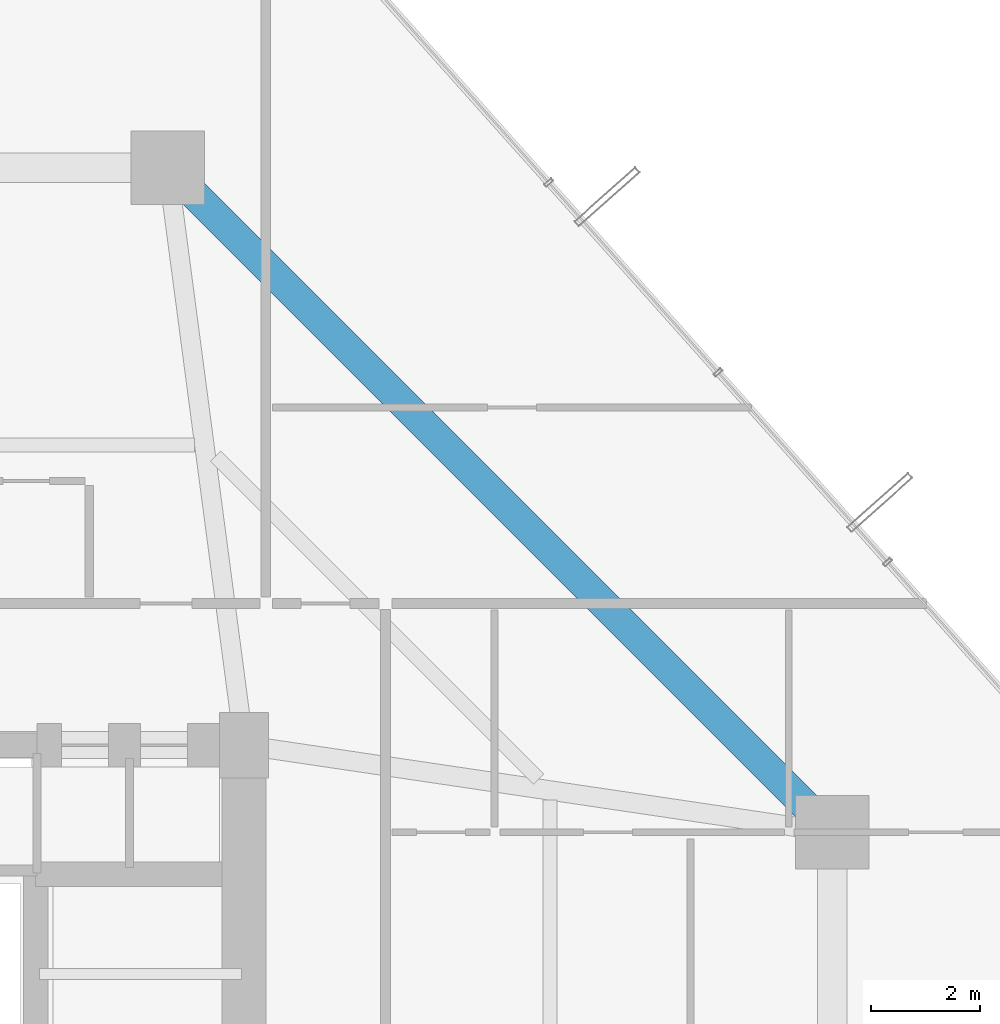
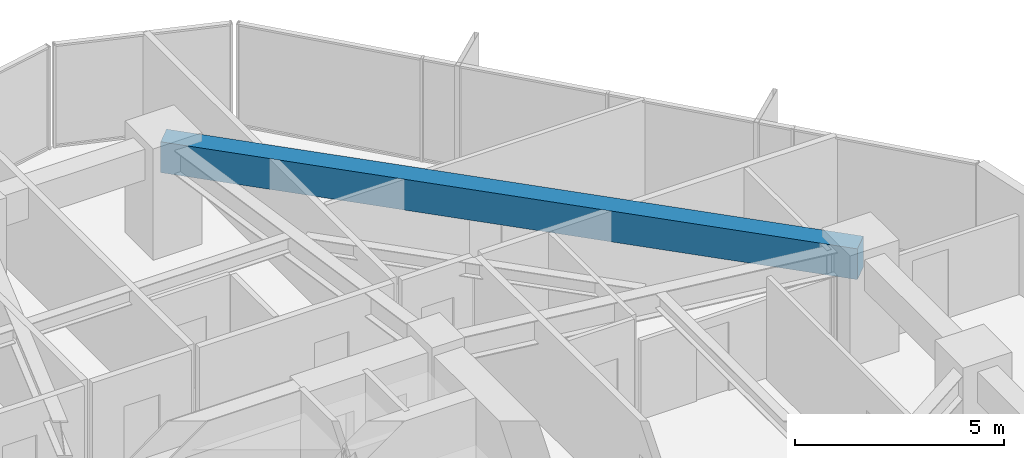
# One storey, part 28 of 38: 1 beam.
"""IFC4 building model written with IfcOpenShell, lengths in metres."""

import ifcopenshell
import ifcopenshell.guid

model = None  # the IFC model being written
_history = None  # IfcOwnerHistory: only IFC2X3 demands one
_inside = {}  # id of a spatial element -> (the spatial element, [elements in it])
_under = {}  # id of a project, library or spatial element -> (it, [spatial elements below it])
_declared = {}  # id of a project -> (the project, [libraries it declares])
_typed = {}  # id of a type object -> (the type object, [elements of that type])
_made_of = {}  # id of a material, layer set ... -> (it, [elements and type objects made of it])


def new_model(schema):
    """Start an empty IFC model of exactly this schema.

    Asked for "IFC4X3", IfcOpenShell would pick the latest addendum, in which some entities
    have other attributes; the version numbers below select the first issue.
    IFC2X3 requires an IfcOwnerHistory on every rooted entity: one is made here for all.
    """
    global model, _history
    if schema == "IFC4X3":
        model = ifcopenshell.file(schema_version=(4, 3, 0, 0))
    else:
        model = ifcopenshell.file(schema=schema)
    _inside.clear()
    _under.clear()
    _declared.clear()
    _typed.clear()
    _made_of.clear()
    _history = None
    if model.schema == "IFC2X3":
        org = make("IfcOrganization", Name="unknown")
        user = make(
            "IfcPersonAndOrganization",
            ThePerson=make("IfcPerson", FamilyName="unknown"),
            TheOrganization=org,
        )
        app = make(
            "IfcApplication",
            ApplicationDeveloper=org,
            Version="unknown",
            ApplicationFullName="unknown",
            ApplicationIdentifier="unknown",
        )
        _history = make(
            "IfcOwnerHistory",
            OwningUser=user,
            OwningApplication=app,
            ChangeAction="ADDED",
            CreationDate=0,
        )
    return model


def make(cls, **values):
    """One entity of the class cls with the attributes given. An attribute that is None is left unset."""
    return model.create_entity(
        cls, **{name: value for name, value in values.items() if value is not None}
    )


def rooted(cls, **values):
    """An entity with a GlobalId (a new one), such as an element, a storey or a relation."""
    return make(cls, GlobalId=ifcopenshell.guid.new(), OwnerHistory=_history, **values)


def si_unit(unit_type, name, prefix=None):
    """IfcSIUnit, for example si_unit("LENGTHUNIT", "METRE", prefix="MILLI")."""
    return make("IfcSIUnit", UnitType=unit_type, Prefix=prefix, Name=name)


def assignment(units):
    """IfcUnitAssignment: the units of a project."""
    return None if units is None else make("IfcUnitAssignment", Units=units)


def point(xyz):
    """IfcCartesianPoint."""
    return None if xyz is None else make("IfcCartesianPoint", Coordinates=xyz)


def direction(xyz):
    """IfcDirection."""
    return None if xyz is None else make("IfcDirection", DirectionRatios=xyz)


def frame(location, z_axis=None, x_axis=None):
    """IfcAxis2Placement3D, a coordinate frame: its origin and axes. An axis left out is left unset."""
    return make(
        "IfcAxis2Placement3D",
        Location=point(location),
        Axis=direction(z_axis),
        RefDirection=direction(x_axis),
    )


def frame_2d(location, x_axis=None):
    """IfcAxis2Placement2D, a coordinate frame in the plane: its origin and x axis."""
    return make(
        "IfcAxis2Placement2D", Location=point(location), RefDirection=direction(x_axis)
    )


def origin():
    """The frame at (0, 0, 0) with its axes left unset."""
    return frame((0.0, 0.0, 0.0))


def origin_2d():
    """The frame at (0, 0) in the plane with its x axis left unset."""
    return frame_2d((0.0, 0.0))


def place(relative_to, where):
    """IfcLocalPlacement: puts the frame where relative to a parent placement (None: the world)."""
    return make(
        "IfcLocalPlacement", PlacementRelTo=relative_to, RelativePlacement=where
    )


def context(
    kind, dimensions, precision=None, world=None, true_north=None, identifier=None
):
    """IfcGeometricRepresentationContext, for example the 3D "Model" context."""
    return make(
        "IfcGeometricRepresentationContext",
        ContextIdentifier=identifier,
        ContextType=kind,
        CoordinateSpaceDimension=dimensions,
        Precision=precision,
        WorldCoordinateSystem=world,
        TrueNorth=true_north,
    )


def subcontext(parent, identifier, kind, view, scale=None):
    """IfcGeometricRepresentationSubContext, for example "Body" below "Model"."""
    return make(
        "IfcGeometricRepresentationSubContext",
        ContextIdentifier=identifier,
        ContextType=kind,
        ParentContext=parent,
        TargetScale=scale,
        TargetView=view,
    )


def project(units=None, contexts=None):
    """IfcProject with its units and contexts."""
    return rooted(
        "IfcProject",
        Name="project",
        RepresentationContexts=contexts,
        UnitsInContext=assignment(units),
    )


def spatial(cls, under=None, at=None, **own):
    """A site, building, storey or space (cls), placed at a placement, below another one or the project."""
    s = rooted(cls, ObjectPlacement=at, **own)
    if under is not None:
        _under.setdefault(under.id(), (under, []))[1].append(s)
    return s


def profile(cls, at=None, kind="AREA", **sizes):
    """A parametric profile (cls). Its sizes go by their IFC names, for example OverallWidth=200.0."""
    return make(cls, ProfileType=kind, Position=at, **sizes)


def rectangle(**sizes):
    """IfcRectangleProfileDef."""
    return profile("IfcRectangleProfileDef", **sizes)


def extrude(swept, where, along, depth):
    """IfcExtrudedAreaSolid: the profile swept, set in the frame where, extruded along a direction by depth."""
    return make(
        "IfcExtrudedAreaSolid",
        SweptArea=swept,
        Position=where,
        ExtrudedDirection=direction(along),
        Depth=depth,
    )


def shape(context_of_items, identifier, shape_type, items):
    """IfcShapeRepresentation: the items that make up one representation, for example the "Body"."""
    return make(
        "IfcShapeRepresentation",
        ContextOfItems=context_of_items,
        RepresentationIdentifier=identifier,
        RepresentationType=shape_type,
        Items=items,
    )


def material(Name=None, Category=None):
    """IfcMaterial."""
    return make("IfcMaterial", Name=Name, Category=Category)


def material_profile(
    of_material, cross_section, Name=None, Category=None, Priority=None
):
    """IfcMaterialProfile: a cross section and its material."""
    return make(
        "IfcMaterialProfile",
        Name=Name,
        Material=of_material,
        Profile=cross_section,
        Priority=Priority,
        Category=Category,
    )


def profile_set(profiles, Name=None, composite=None):
    """IfcMaterialProfileSet."""
    return make(
        "IfcMaterialProfileSet",
        Name=Name,
        MaterialProfiles=profiles,
        CompositeProfile=composite,
    )


def made_of(thing, what):
    """Note that an element or type object is made of a material, layer set ...; save() writes the relation."""
    if what is not None:
        _made_of.setdefault(what.id(), (what, []))[1].append(thing)
    return thing


def type_object(cls, material=None, **own):
    """A type object (cls), such as IfcWallType, which elements share."""
    return made_of(rooted(cls, **own), material)


def element(
    cls,
    number,
    at=None,
    inside=None,
    cuts=None,
    type_object=None,
    material=None,
    context=None,
    identifier="Body",
    shape_type=None,
    held_by="IfcProductDefinitionShape",
    body=None,
    shapes=None,
    **own,
):
    """One element of the class cls, such as IfcWall. Its Tag is "e" and its number.

    at: its placement. inside: the storey or other place that contains it. cuts: it is an
    opening in that element (IfcRelVoidsElement). A single representation is given by context,
    identifier, shape_type and body (its items); several are given by shapes. held_by: the class
    of the entity that holds the representations. save() writes the other relations.
    """
    e = rooted(cls, Tag="e%d" % number, ObjectPlacement=at, **own)
    if body is not None:
        shapes = [shape(context, identifier, shape_type, body)]
    if shapes is not None:
        e.Representation = make(held_by, Representations=shapes)
    if inside is not None:
        _inside.setdefault(inside.id(), (inside, []))[1].append(e)
    if cuts is not None:
        rooted(
            "IfcRelVoidsElement", RelatingBuildingElement=cuts, RelatedOpeningElement=e
        )
    if type_object is not None:
        _typed.setdefault(type_object.id(), (type_object, []))[1].append(e)
    return made_of(e, material)


def aggregate(whole, parts):
    """IfcRelAggregates: a whole, such as a stair, and the parts it consists of."""
    return rooted("IfcRelAggregates", RelatingObject=whole, RelatedObjects=parts)


def save(model, path):
    """Write the relations noted so far, then the file.

    IfcRelAggregates (storeys below a building ...), IfcRelContainedInSpatialStructure (elements
    in a storey), IfcRelDefinesByType, IfcRelAssociatesMaterial and IfcRelDeclares: one each for
    every whole, place, type object, material and project.
    """
    for whole, parts in _under.values():
        aggregate(whole, parts)
    for where, things in _inside.values():
        rooted(
            "IfcRelContainedInSpatialStructure",
            RelatedElements=things,
            RelatingStructure=where,
        )
    for kind, things in _typed.values():
        rooted("IfcRelDefinesByType", RelatedObjects=things, RelatingType=kind)
    for what, things in _made_of.values():
        rooted("IfcRelAssociatesMaterial", RelatedObjects=things, RelatingMaterial=what)
    for by, libraries in _declared.values():
        rooted("IfcRelDeclares", RelatingContext=by, RelatedDefinitions=libraries)
    model.write(path)


model = new_model("IFC4")

# Units and contexts
model_context = context("Model", 3, precision=1e-05, world=origin(), true_north=direction((0.0, 1.0)))
body_context = subcontext(model_context, "Body", "Model", "MODEL_VIEW")
ifc_project = project(units=[si_unit("LENGTHUNIT", "METRE"), si_unit("AREAUNIT", "SQUARE_METRE"), si_unit("VOLUMEUNIT", "CUBIC_METRE"), si_unit("PLANEANGLEUNIT", "RADIAN"), si_unit("MASSUNIT", "GRAM", prefix="KILO")], contexts=[model_context])

# Site, building, storey
site_placement = place(None, origin())
site = spatial("IfcSite", under=ifc_project, at=site_placement, CompositionType="ELEMENT")
building_placement = place(site_placement, origin())
building = spatial("IfcBuilding", under=site, at=building_placement, Name="Veraguas Prism Commons", CompositionType="ELEMENT")
storey_placement = place(building_placement, frame((0.0, 0.0, 64.10009765625)))
storey = spatial("IfcBuildingStorey", under=building, at=storey_placement, Name="L17", CompositionType="ELEMENT", Elevation=64.10009765625)

# Beam
ifc_material = material(Name="Concrete C50/60", Category="concrete")
ifc_material_profile = material_profile(ifc_material, rectangle(XDim=0.550048828125, YDim=0.89990234375, at=origin_2d()), Name="RC550X900")
ifc_profile_set = profile_set([ifc_material_profile], Name="Concrete C50/60")
beam_type = type_object("IfcBeamType", Name="Perimeter Spandrel Lower RC 550x900", PredefinedType="SPANDREL", material=ifc_profile_set)
beam_placement = place(storey_placement, frame((41.60009765625, 29.39990234375, 2.5498046875), z_axis=(-0.707106781187, 0.707106781187, 0.0), x_axis=(-0.707106781187, -0.707106781187, 0.0)))
element("IfcBeam", 1, at=beam_placement, inside=storey, type_object=beam_type, Name="Perimeter Spandrel Beam L17-SP03", PredefinedType="SPANDREL", context=body_context, shape_type="SweptSolid", body=[
    extrude(rectangle(XDim=0.550048828125, YDim=0.89990234375, at=origin_2d()), origin(), (0.0, 0.0, 1.0), 17.253662109375),
])

save(model, "model.ifc")
